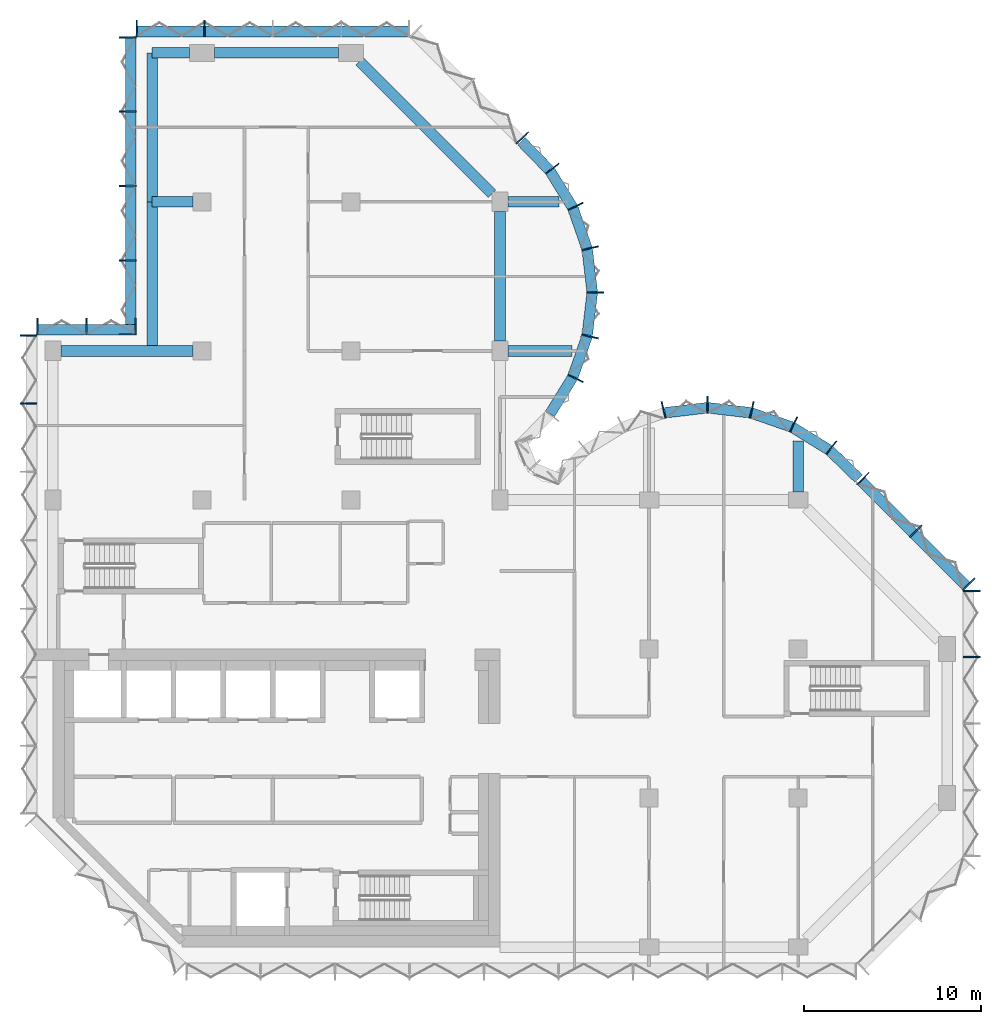
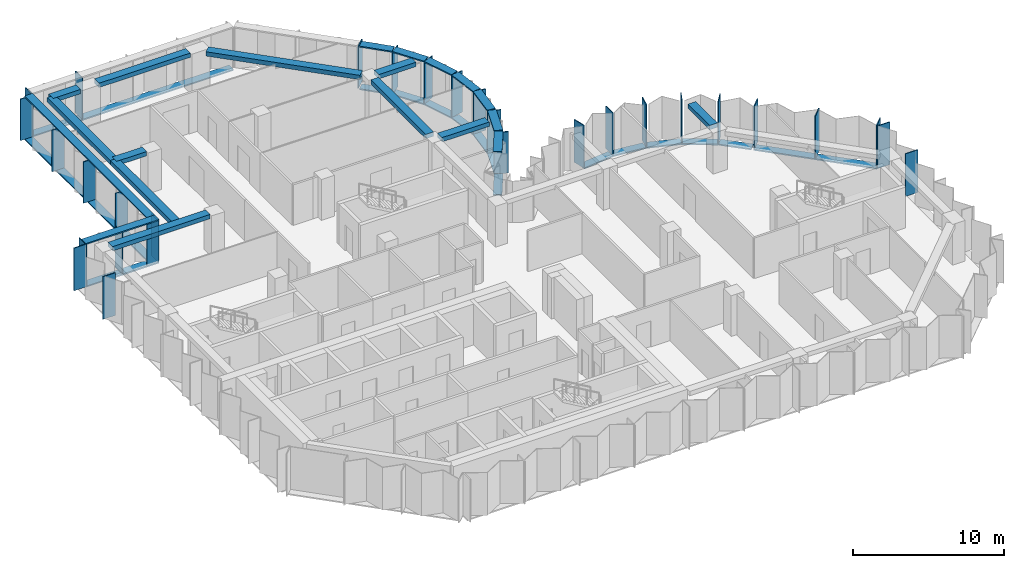
# One storey, part 2 of 10: 54 members, 11 beams, 8 elements without a shape of their own.
"""IFC4 building model written with IfcOpenShell, lengths in metres."""

from ifc_helpers import new_model, si_unit, direction, frame, origin, origin_2d, place, context, subcontext, project, spatial, rectangle, extrude, material, material_profile, profile_set, type_object, element, aggregate, save


model = new_model("IFC4")

# Units and contexts
model_context = context("Model", 3, precision=1e-05, world=origin(), true_north=direction((0.0, 1.0)))
body_context = subcontext(model_context, "Body", "Model", "MODEL_VIEW")
ifc_project = project(units=[si_unit("LENGTHUNIT", "METRE"), si_unit("AREAUNIT", "SQUARE_METRE"), si_unit("VOLUMEUNIT", "CUBIC_METRE"), si_unit("PLANEANGLEUNIT", "RADIAN"), si_unit("MASSUNIT", "GRAM", prefix="KILO")], contexts=[model_context])

# Site, building, storey
site_placement = place(None, origin())
site = spatial("IfcSite", under=ifc_project, at=site_placement, CompositionType="ELEMENT")
building_placement = place(site_placement, origin())
building = spatial("IfcBuilding", under=site, at=building_placement, Name="Brevane Broadcast Tower", CompositionType="ELEMENT")
storey_placement = place(building_placement, frame((0.0, 0.0, 202.800048828125)))
storey = spatial("IfcBuildingStorey", under=building, at=storey_placement, Name="L51", CompositionType="ELEMENT", Elevation=202.800048828125)

# Curtain wall, members
ifc_material_1 = material(Name="Aluminium 6063-T6 bronze anodised", Category="aluminium")
curtain_wall_type = type_object("IfcCurtainWallType", Name="CW-1 curtain wall", PredefinedType="NOTDEFINED", material=ifc_material_1)
curtain_wall_1_placement = place(storey_placement, origin())
curtain_wall_1 = element("IfcCurtainWall", 1, at=curtain_wall_1_placement, inside=storey, type_object=curtain_wall_type, Name="CW-1 typical tilted unit L51 east end", PredefinedType="NOTDEFINED")
ifc_material_profile_1 = material_profile(ifc_material_1, rectangle(XDim=0.949951171875, YDim=0.070068359375, at=origin_2d()), Name="RECT 70x950")
ifc_profile_set_1 = profile_set([ifc_material_profile_1], Name="Aluminium 6063-T6 bronze anodised")
member_type_1 = type_object("IfcMemberType", Name="CW-1 mullion 70x950", PredefinedType="MULLION", material=ifc_profile_set_1)
member_1_placement = place(storey_placement, frame((51.77490234375, 16.35009765625, -0.150146484375), z_axis=(0.0, 0.0, 1.0), x_axis=(-1.0, 0.0, 0.0)))
member_1 = element("IfcMember", 2, at=member_1_placement, type_object=member_type_1, Name="CW-1 mullion", PredefinedType="MULLION", context=body_context, shape_type="SweptSolid", body=[
    extrude(rectangle(XDim=0.949951171875, YDim=0.070068359375, at=origin_2d()), origin(), (0.0, 0.0, 1.0), 3.4501953125),
])
member_2_placement = place(storey_placement, frame((51.77490234375, 20.06494140625, -0.150146484375), z_axis=(0.0, 0.0, 1.0), x_axis=(-1.0, 0.0, 0.0)))
member_2 = element("IfcMember", 3, at=member_2_placement, type_object=member_type_1, Name="CW-1 mullion", PredefinedType="MULLION", context=body_context, shape_type="SweptSolid", body=[
    extrude(rectangle(XDim=0.949951171875, YDim=0.070068359375, at=origin_2d()), origin(), (0.0, 0.0, 1.0), 3.4501953125),
])
aggregate(curtain_wall_1, [member_1, member_2])

curtain_wall_2_placement = place(storey_placement, origin())
curtain_wall_2 = element("IfcCurtainWall", 4, at=curtain_wall_2_placement, inside=storey, type_object=curtain_wall_type, Name="CW-1 typical tilted unit L51 north-east chamfer", PredefinedType="NOTDEFINED")
member_3_placement = place(storey_placement, frame((51.611083984375, 20.460693359375, -0.150146484375), z_axis=(0.0, 0.0, 1.0), x_axis=(-0.707106781187, -0.707106781187, 0.0)))
member_3 = element("IfcMember", 5, at=member_3_placement, type_object=member_type_1, Name="CW-1 mullion", PredefinedType="MULLION", context=body_context, shape_type="SweptSolid", body=[
    extrude(rectangle(XDim=0.949951171875, YDim=0.070068359375, at=origin_2d()), origin(), (0.0, 0.0, 1.0), 3.4501953125),
])
member_4_placement = place(storey_placement, frame((48.635986328125, 23.435791015625, -0.150146484375), z_axis=(0.0, 0.0, 1.0), x_axis=(-0.707106781187, -0.707106781187, 0.0)))
member_4 = element("IfcMember", 6, at=member_4_placement, type_object=member_type_1, Name="CW-1 mullion", PredefinedType="MULLION", context=body_context, shape_type="SweptSolid", body=[
    extrude(rectangle(XDim=0.949951171875, YDim=0.070068359375, at=origin_2d()), origin(), (0.0, 0.0, 1.0), 3.4501953125),
])
member_5_placement = place(storey_placement, frame((45.66064453125, 26.4111328125, -0.150146484375), z_axis=(0.0, 0.0, 1.0), x_axis=(-0.707106781187, -0.707106781187, 0.0)))
member_5 = element("IfcMember", 7, at=member_5_placement, type_object=member_type_1, Name="CW-1 mullion", PredefinedType="MULLION", context=body_context, shape_type="SweptSolid", body=[
    extrude(rectangle(XDim=0.949951171875, YDim=0.070068359375, at=origin_2d()), origin(), (0.0, 0.0, 1.0), 3.4501953125),
])

curtain_wall_3_placement = place(storey_placement, origin())
curtain_wall_3 = element("IfcCurtainWall", 8, at=curtain_wall_3_placement, inside=storey, type_object=curtain_wall_type, Name="CW-1 typical tilted unit L51 east bow", PredefinedType="NOTDEFINED")
member_6_placement = place(storey_placement, frame((43.8720703125, 28.1455078125, -0.150146484375), z_axis=(0.0, 0.0, 1.0), x_axis=(-0.614769698862, -0.788706673841, 0.0)))
member_6 = element("IfcMember", 9, at=member_6_placement, type_object=member_type_1, Name="CW-1 mullion", PredefinedType="MULLION", context=body_context, shape_type="SweptSolid", body=[
    extrude(rectangle(XDim=0.949951171875, YDim=0.070068359375, at=origin_2d()), origin(), (0.0, 0.0, 1.0), 3.4501953125),
])
member_7_placement = place(storey_placement, frame((41.746826171875, 29.4580078125, -0.150146484375), z_axis=(0.0, 0.0, 1.0), x_axis=(-0.429933580394, -0.902860518823, 0.0)))
member_7 = element("IfcMember", 10, at=member_7_placement, type_object=member_type_1, Name="CW-1 mullion", PredefinedType="MULLION", context=body_context, shape_type="SweptSolid", body=[
    extrude(rectangle(XDim=0.949951171875, YDim=0.070068359375, at=origin_2d()), origin(), (0.0, 0.0, 1.0), 3.4501953125),
])
member_8_placement = place(storey_placement, frame((39.38818359375, 30.28076171875, -0.150146484375), z_axis=(0.0, 0.0, 1.0), x_axis=(-0.224806535479, -0.974403418306, 0.0)))
member_8 = element("IfcMember", 11, at=member_8_placement, type_object=member_type_1, Name="CW-1 mullion", PredefinedType="MULLION", context=body_context, shape_type="SweptSolid", body=[
    extrude(rectangle(XDim=0.949951171875, YDim=0.070068359375, at=origin_2d()), origin(), (0.0, 0.0, 1.0), 3.4501953125),
])
member_9_placement = place(storey_placement, frame((36.89990234375, 30.574951171875, -0.150146484375), z_axis=(0.0, 0.0, 1.0), x_axis=(0.0, -1.0, 0.0)))
member_9 = element("IfcMember", 12, at=member_9_placement, type_object=member_type_1, Name="CW-1 mullion", PredefinedType="MULLION", context=body_context, shape_type="SweptSolid", body=[
    extrude(rectangle(XDim=0.949951171875, YDim=0.070068359375, at=origin_2d()), origin(), (0.0, 0.0, 1.0), 3.4501953125),
])
member_10_placement = place(storey_placement, frame((34.411865234375, 30.28076171875, -0.150146484375), z_axis=(0.0, 0.0, 1.0), x_axis=(0.224806535479, -0.974403418306, 0.0)))
member_10 = element("IfcMember", 13, at=member_10_placement, type_object=member_type_1, Name="CW-1 mullion", PredefinedType="MULLION", context=body_context, shape_type="SweptSolid", body=[
    extrude(rectangle(XDim=0.949951171875, YDim=0.070068359375, at=origin_2d()), origin(), (0.0, 0.0, 1.0), 3.4501953125),
])

curtain_wall_4_placement = place(storey_placement, origin())
curtain_wall_4 = element("IfcCurtainWall", 14, at=curtain_wall_4_placement, inside=storey, type_object=curtain_wall_type, Name="CW-1 typical tilted unit L51 north bow", PredefinedType="NOTDEFINED")
member_11_placement = place(storey_placement, frame((29.4580078125, 32.05322265625, -0.150146484375), z_axis=(0.0, 0.0, 1.0), x_axis=(-0.902860518823, 0.429933580394, 0.0)))
member_11 = element("IfcMember", 15, at=member_11_placement, type_object=member_type_1, Name="CW-1 mullion", PredefinedType="MULLION", context=body_context, shape_type="SweptSolid", body=[
    extrude(rectangle(XDim=0.949951171875, YDim=0.070068359375, at=origin_2d()), origin(), (0.0, 0.0, 1.0), 3.35009765625),
])
member_12_placement = place(storey_placement, frame((30.28076171875, 34.411865234375, -0.150146484375), z_axis=(0.0, 0.0, 1.0), x_axis=(-0.974403418306, 0.224806535479, 0.0)))
member_12 = element("IfcMember", 16, at=member_12_placement, type_object=member_type_1, Name="CW-1 mullion", PredefinedType="MULLION", context=body_context, shape_type="SweptSolid", body=[
    extrude(rectangle(XDim=0.949951171875, YDim=0.070068359375, at=origin_2d()), origin(), (0.0, 0.0, 1.0), 3.35009765625),
])
member_13_placement = place(storey_placement, frame((30.574951171875, 36.89990234375, -0.150146484375), z_axis=(0.0, 0.0, 1.0), x_axis=(-1.0, 0.0, 0.0)))
member_13 = element("IfcMember", 17, at=member_13_placement, type_object=member_type_1, Name="CW-1 mullion", PredefinedType="MULLION", context=body_context, shape_type="SweptSolid", body=[
    extrude(rectangle(XDim=0.949951171875, YDim=0.070068359375, at=origin_2d()), origin(), (0.0, 0.0, 1.0), 3.35009765625),
])
member_14_placement = place(storey_placement, frame((30.28076171875, 39.38818359375, -0.150146484375), z_axis=(0.0, 0.0, 1.0), x_axis=(-0.974403418306, -0.224806535479, 0.0)))
member_14 = element("IfcMember", 18, at=member_14_placement, type_object=member_type_1, Name="CW-1 mullion", PredefinedType="MULLION", context=body_context, shape_type="SweptSolid", body=[
    extrude(rectangle(XDim=0.949951171875, YDim=0.070068359375, at=origin_2d()), origin(), (0.0, 0.0, 1.0), 3.35009765625),
])
member_15_placement = place(storey_placement, frame((29.4580078125, 41.746826171875, -0.150146484375), z_axis=(0.0, 0.0, 1.0), x_axis=(-0.902860518823, -0.429933580394, 0.0)))
member_15 = element("IfcMember", 19, at=member_15_placement, type_object=member_type_1, Name="CW-1 mullion", PredefinedType="MULLION", context=body_context, shape_type="SweptSolid", body=[
    extrude(rectangle(XDim=0.949951171875, YDim=0.070068359375, at=origin_2d()), origin(), (0.0, 0.0, 1.0), 3.35009765625),
])
member_16_placement = place(storey_placement, frame((28.1455078125, 43.8720703125, -0.150146484375), z_axis=(0.0, 0.0, 1.0), x_axis=(-0.788706673841, -0.614769698862, 0.0)))
member_16 = element("IfcMember", 20, at=member_16_placement, type_object=member_type_1, Name="CW-1 mullion", PredefinedType="MULLION", context=body_context, shape_type="SweptSolid", body=[
    extrude(rectangle(XDim=0.949951171875, YDim=0.070068359375, at=origin_2d()), origin(), (0.0, 0.0, 1.0), 3.35009765625),
])
member_17_placement = place(storey_placement, frame((26.465087890625, 45.60595703125, -0.150146484375), z_axis=(0.0, 0.0, 1.0), x_axis=(-0.717253728729, -0.696812089895, 0.0)))
member_17 = element("IfcMember", 21, at=member_17_placement, type_object=member_type_1, Name="CW-1 mullion", PredefinedType="MULLION", context=body_context, shape_type="SweptSolid", body=[
    extrude(rectangle(XDim=0.949951171875, YDim=0.070068359375, at=origin_2d()), origin(), (0.0, 0.0, 1.0), 3.35009765625),
])

curtain_wall_5_placement = place(storey_placement, origin())
curtain_wall_5 = element("IfcCurtainWall", 22, at=curtain_wall_5_placement, inside=storey, type_object=curtain_wall_type, Name="CW-1 typical tilted unit L51 north end", PredefinedType="NOTDEFINED")
member_18_placement = place(storey_placement, frame((8.550048828125, 51.77490234375, -0.150146484375), z_axis=(0.0, 0.0, 1.0), x_axis=(0.0, -1.0, 0.0)))
member_18 = element("IfcMember", 23, at=member_18_placement, type_object=member_type_1, Name="CW-1 mullion", PredefinedType="MULLION", context=body_context, shape_type="SweptSolid", body=[
    extrude(rectangle(XDim=0.949951171875, YDim=0.070068359375, at=origin_2d()), origin(), (0.0, 0.0, 1.0), 3.35009765625),
])
member_19_placement = place(storey_placement, frame((4.735107421875, 51.77490234375, -0.150146484375), z_axis=(0.0, 0.0, 1.0), x_axis=(0.0, -1.0, 0.0)))
member_19 = element("IfcMember", 24, at=member_19_placement, type_object=member_type_1, Name="CW-1 mullion", PredefinedType="MULLION", context=body_context, shape_type="SweptSolid", body=[
    extrude(rectangle(XDim=0.949951171875, YDim=0.070068359375, at=origin_2d()), origin(), (0.0, 0.0, 1.0), 3.35009765625),
])

curtain_wall_6_placement = place(storey_placement, origin())
curtain_wall_6 = element("IfcCurtainWall", 25, at=curtain_wall_6_placement, inside=storey, type_object=curtain_wall_type, Name="CW-1 typical tilted unit L51 north wing west face, lower block", PredefinedType="NOTDEFINED")
member_20_placement = place(storey_placement, frame((4.22509765625, 51.264892578125, -0.150146484375), z_axis=(0.0, 0.0, 1.0), x_axis=(1.0, 0.0, 0.0)))
member_20 = element("IfcMember", 26, at=member_20_placement, type_object=member_type_1, Name="CW-1 mullion", PredefinedType="MULLION", context=body_context, shape_type="SweptSolid", body=[
    extrude(rectangle(XDim=0.949951171875, YDim=0.070068359375, at=origin_2d()), origin(), (0.0, 0.0, 1.0), 3.35009765625),
])
member_21_placement = place(storey_placement, frame((4.22509765625, 47.10009765625, -0.150146484375), z_axis=(0.0, 0.0, 1.0), x_axis=(1.0, 0.0, 0.0)))
member_21 = element("IfcMember", 27, at=member_21_placement, type_object=member_type_1, Name="CW-1 mullion", PredefinedType="MULLION", context=body_context, shape_type="SweptSolid", body=[
    extrude(rectangle(XDim=0.949951171875, YDim=0.070068359375, at=origin_2d()), origin(), (0.0, 0.0, 1.0), 3.35009765625),
])
member_22_placement = place(storey_placement, frame((4.22509765625, 42.89990234375, -0.150146484375), z_axis=(0.0, 0.0, 1.0), x_axis=(1.0, 0.0, 0.0)))
member_22 = element("IfcMember", 28, at=member_22_placement, type_object=member_type_1, Name="CW-1 mullion", PredefinedType="MULLION", context=body_context, shape_type="SweptSolid", body=[
    extrude(rectangle(XDim=0.949951171875, YDim=0.070068359375, at=origin_2d()), origin(), (0.0, 0.0, 1.0), 3.35009765625),
])
member_23_placement = place(storey_placement, frame((4.22509765625, 38.699951171875, -0.150146484375), z_axis=(0.0, 0.0, 1.0), x_axis=(1.0, 0.0, 0.0)))
member_23 = element("IfcMember", 29, at=member_23_placement, type_object=member_type_1, Name="CW-1 mullion", PredefinedType="MULLION", context=body_context, shape_type="SweptSolid", body=[
    extrude(rectangle(XDim=0.949951171875, YDim=0.070068359375, at=origin_2d()), origin(), (0.0, 0.0, 1.0), 3.35009765625),
])
member_24_placement = place(storey_placement, frame((4.22509765625, 34.534912109375, -0.150146484375), z_axis=(0.0, 0.0, 1.0), x_axis=(1.0, 0.0, 0.0)))
member_24 = element("IfcMember", 30, at=member_24_placement, type_object=member_type_1, Name="CW-1 mullion", PredefinedType="MULLION", context=body_context, shape_type="SweptSolid", body=[
    extrude(rectangle(XDim=0.949951171875, YDim=0.070068359375, at=origin_2d()), origin(), (0.0, 0.0, 1.0), 3.35009765625),
])

curtain_wall_7_placement = place(storey_placement, origin())
curtain_wall_7 = element("IfcCurtainWall", 31, at=curtain_wall_7_placement, inside=storey, type_object=curtain_wall_type, Name="CW-1 typical tilted unit L51 north wing west return, lower block", PredefinedType="NOTDEFINED")
member_25_placement = place(storey_placement, frame((4.6650390625, 34.97509765625, -0.150146484375), z_axis=(0.0, 0.0, 1.0), x_axis=(0.0, -1.0, 0.0)))
member_25 = element("IfcMember", 32, at=member_25_placement, type_object=member_type_1, Name="CW-1 mullion", PredefinedType="MULLION", context=body_context, shape_type="SweptSolid", body=[
    extrude(rectangle(XDim=0.949951171875, YDim=0.070068359375, at=origin_2d()), origin(), (0.0, 0.0, 1.0), 3.35009765625),
])
member_26_placement = place(storey_placement, frame((1.89990234375, 34.97509765625, -0.150146484375), z_axis=(0.0, 0.0, 1.0), x_axis=(0.0, -1.0, 0.0)))
member_26 = element("IfcMember", 33, at=member_26_placement, type_object=member_type_1, Name="CW-1 mullion", PredefinedType="MULLION", context=body_context, shape_type="SweptSolid", body=[
    extrude(rectangle(XDim=0.949951171875, YDim=0.070068359375, at=origin_2d()), origin(), (0.0, 0.0, 1.0), 3.35009765625),
])
member_27_placement = place(storey_placement, frame((-0.864990234375, 34.97509765625, -0.150146484375), z_axis=(0.0, 0.0, 1.0), x_axis=(0.0, -1.0, 0.0)))
member_27 = element("IfcMember", 34, at=member_27_placement, type_object=member_type_1, Name="CW-1 mullion", PredefinedType="MULLION", context=body_context, shape_type="SweptSolid", body=[
    extrude(rectangle(XDim=0.949951171875, YDim=0.070068359375, at=origin_2d()), origin(), (0.0, 0.0, 1.0), 3.35009765625),
])

curtain_wall_8_placement = place(storey_placement, origin())
curtain_wall_8 = element("IfcCurtainWall", 35, at=curtain_wall_8_placement, inside=storey, type_object=curtain_wall_type, Name="CW-1 typical tilted unit L51 west face", PredefinedType="NOTDEFINED")
member_28_placement = place(storey_placement, frame((-1.375, 34.465087890625, -0.150146484375), z_axis=(0.0, 0.0, 1.0), x_axis=(1.0, 0.0, 0.0)))
member_28 = element("IfcMember", 36, at=member_28_placement, type_object=member_type_1, Name="CW-1 mullion", PredefinedType="MULLION", context=body_context, shape_type="SweptSolid", body=[
    extrude(rectangle(XDim=0.949951171875, YDim=0.070068359375, at=origin_2d()), origin(), (0.0, 0.0, 1.0), 3.4501953125),
])
member_29_placement = place(storey_placement, frame((-1.375, 30.642822265625, -0.150146484375), z_axis=(0.0, 0.0, 1.0), x_axis=(1.0, 0.0, 0.0)))
member_29 = element("IfcMember", 37, at=member_29_placement, type_object=member_type_1, Name="CW-1 mullion", PredefinedType="MULLION", context=body_context, shape_type="SweptSolid", body=[
    extrude(rectangle(XDim=0.949951171875, YDim=0.070068359375, at=origin_2d()), origin(), (0.0, 0.0, 1.0), 3.4501953125),
])
aggregate(curtain_wall_8, [member_28, member_29])

# Member
ifc_material_profile_2 = material_profile(ifc_material_1, rectangle(XDim=0.60009765625, YDim=0.10009765625, at=origin_2d()), Name="RECT 100x600")
ifc_profile_set_2 = profile_set([ifc_material_profile_2], Name="Aluminium 6063-T6 bronze anodised")
member_type_2 = type_object("IfcMemberType", Name="CW-1 transom 100x600", PredefinedType="USERDEFINED", material=ifc_profile_set_2)
member_30_placement = place(storey_placement, frame((51.51220703125, 20.31201171875, -0.199951171875), z_axis=(-0.707106781187, 0.707106781187, 0.0), x_axis=(-0.707106781187, -0.707106781187, 0.0)))
member_30 = element("IfcMember", 38, at=member_30_placement, type_object=member_type_2, Name="CW-1 transom", ObjectType="TRANSOM", PredefinedType="USERDEFINED", context=body_context, shape_type="SweptSolid", body=[
    extrude(rectangle(XDim=0.60009765625, YDim=0.10009765625, at=origin_2d()), origin(), (0.0, 0.0, 1.0), 8.4853515625),
])

aggregate(curtain_wall_2, [member_3, member_4, member_5, member_30])

member_31_placement = place(storey_placement, frame((45.412841796875, 26.407958984375, -0.199951171875), z_axis=(-0.71724215871, 0.696823999134, 0.0), x_axis=(-0.696823999134, -0.71724215871, 0.0)))
member_31 = element("IfcMember", 39, at=member_31_placement, type_object=member_type_2, Name="CW-1 transom", ObjectType="TRANSOM", PredefinedType="USERDEFINED", context=body_context, shape_type="SweptSolid", body=[
    extrude(rectangle(XDim=0.60009765625, YDim=0.10009765625, at=origin_2d()), origin(), (0.0, 0.0, 1.0), 2.247802734375),
])

member_32_placement = place(storey_placement, frame((43.7421875, 28.023193359375, -0.199951171875), z_axis=(-0.850810063131, 0.525473345162, 0.0), x_axis=(-0.525473345162, -0.850810063131, 0.0)))
member_32 = element("IfcMember", 40, at=member_32_placement, type_object=member_type_2, Name="CW-1 transom", ObjectType="TRANSOM", PredefinedType="USERDEFINED", context=body_context, shape_type="SweptSolid", body=[
    extrude(rectangle(XDim=0.60009765625, YDim=0.10009765625, at=origin_2d()), origin(), (0.0, 0.0, 1.0), 2.39453125),
])

member_33_placement = place(storey_placement, frame((41.63623046875, 29.314208984375, -0.199951171875), z_axis=(-0.944197969542, 0.329378497041, 0.0), x_axis=(-0.329378497041, -0.944197969542, 0.0)))
member_33 = element("IfcMember", 41, at=member_33_placement, type_object=member_type_2, Name="CW-1 transom", ObjectType="TRANSOM", PredefinedType="USERDEFINED", context=body_context, shape_type="SweptSolid", body=[
    extrude(rectangle(XDim=0.60009765625, YDim=0.10009765625, at=origin_2d()), origin(), (0.0, 0.0, 1.0), 2.394775390625),
])

member_34_placement = place(storey_placement, frame((39.30029296875, 30.117431640625, -0.199951171875), z_axis=(-0.993062061831, 0.117591417, 0.0), x_axis=(-0.117591417, -0.993062061831, 0.0)))
member_34 = element("IfcMember", 42, at=member_34_placement, type_object=member_type_2, Name="CW-1 transom", ObjectType="TRANSOM", PredefinedType="USERDEFINED", context=body_context, shape_type="SweptSolid", body=[
    extrude(rectangle(XDim=0.60009765625, YDim=0.10009765625, at=origin_2d()), origin(), (0.0, 0.0, 1.0), 2.39794921875),
])

member_35_placement = place(storey_placement, frame((36.880859375, 30.3994140625, -0.199951171875), z_axis=(-0.993060653805, -0.117603307202, 0.0), x_axis=(0.117603307202, -0.993060653805, 0.0)))
member_35 = element("IfcMember", 43, at=member_35_placement, type_object=member_type_2, Name="CW-1 transom", ObjectType="TRANSOM", PredefinedType="USERDEFINED", context=body_context, shape_type="SweptSolid", body=[
    extrude(rectangle(XDim=0.60009765625, YDim=0.10009765625, at=origin_2d()), origin(), (0.0, 0.0, 1.0), 2.397705078125),
])

aggregate(curtain_wall_3, [member_6, member_7, member_8, member_9, member_10, member_31, member_32, member_33, member_34, member_35])

member_36_placement = place(storey_placement, frame((28.023193359375, 30.0576171875, -0.199951171875), z_axis=(0.525427766759, 0.850838211365, 0.0), x_axis=(-0.850838211365, 0.525427766759, 0.0)))
member_36 = element("IfcMember", 44, at=member_36_placement, type_object=member_type_2, Name="CW-1 transom", ObjectType="TRANSOM", PredefinedType="USERDEFINED", context=body_context, shape_type="SweptSolid", body=[
    extrude(rectangle(XDim=0.60009765625, YDim=0.10009765625, at=origin_2d()), origin(), (0.0, 0.0, 1.0), 2.394775390625),
])

member_37_placement = place(storey_placement, frame((28.023193359375, 30.0576171875, 3.25), z_axis=(0.525427766759, 0.850838211365, 0.0), x_axis=(-0.850838211365, 0.525427766759, 0.0)))
member_37 = element("IfcMember", 45, at=member_37_placement, type_object=member_type_2, Name="CW-1 transom", ObjectType="TRANSOM", PredefinedType="USERDEFINED", context=body_context, shape_type="SweptSolid", body=[
    extrude(rectangle(XDim=0.60009765625, YDim=0.10009765625, at=origin_2d()), origin(), (0.0, 0.0, 1.0), 2.394775390625),
])

member_38_placement = place(storey_placement, frame((29.314208984375, 32.163818359375, -0.199951171875), z_axis=(0.329378497041, 0.944197969542, 0.0), x_axis=(-0.944197969542, 0.329378497041, 0.0)))
member_38 = element("IfcMember", 46, at=member_38_placement, type_object=member_type_2, Name="CW-1 transom", ObjectType="TRANSOM", PredefinedType="USERDEFINED", context=body_context, shape_type="SweptSolid", body=[
    extrude(rectangle(XDim=0.60009765625, YDim=0.10009765625, at=origin_2d()), origin(), (0.0, 0.0, 1.0), 2.394775390625),
])

member_39_placement = place(storey_placement, frame((29.314208984375, 32.163818359375, 3.25), z_axis=(0.329378497041, 0.944197969542, 0.0), x_axis=(-0.944197969542, 0.329378497041, 0.0)))
member_39 = element("IfcMember", 47, at=member_39_placement, type_object=member_type_2, Name="CW-1 transom", ObjectType="TRANSOM", PredefinedType="USERDEFINED", context=body_context, shape_type="SweptSolid", body=[
    extrude(rectangle(XDim=0.60009765625, YDim=0.10009765625, at=origin_2d()), origin(), (0.0, 0.0, 1.0), 2.394775390625),
])

member_40_placement = place(storey_placement, frame((30.117431640625, 34.499755859375, -0.199951171875), z_axis=(0.117603307202, 0.993060653805, 0.0), x_axis=(-0.993060653805, 0.117603307202, 0.0)))
member_40 = element("IfcMember", 48, at=member_40_placement, type_object=member_type_2, Name="CW-1 transom", ObjectType="TRANSOM", PredefinedType="USERDEFINED", context=body_context, shape_type="SweptSolid", body=[
    extrude(rectangle(XDim=0.60009765625, YDim=0.10009765625, at=origin_2d()), origin(), (0.0, 0.0, 1.0), 2.397705078125),
])

member_41_placement = place(storey_placement, frame((30.117431640625, 34.499755859375, 3.25), z_axis=(0.117603307202, 0.993060653805, 0.0), x_axis=(-0.993060653805, 0.117603307202, 0.0)))
member_41 = element("IfcMember", 49, at=member_41_placement, type_object=member_type_2, Name="CW-1 transom", ObjectType="TRANSOM", PredefinedType="USERDEFINED", context=body_context, shape_type="SweptSolid", body=[
    extrude(rectangle(XDim=0.60009765625, YDim=0.10009765625, at=origin_2d()), origin(), (0.0, 0.0, 1.0), 2.397705078125),
])

member_42_placement = place(storey_placement, frame((30.3994140625, 36.9189453125, -0.199951171875), z_axis=(-0.117591417, 0.993062061831, 0.0), x_axis=(-0.993062061831, -0.117591417, 0.0)))
member_42 = element("IfcMember", 50, at=member_42_placement, type_object=member_type_2, Name="CW-1 transom", ObjectType="TRANSOM", PredefinedType="USERDEFINED", context=body_context, shape_type="SweptSolid", body=[
    extrude(rectangle(XDim=0.60009765625, YDim=0.10009765625, at=origin_2d()), origin(), (0.0, 0.0, 1.0), 2.39794921875),
])

member_43_placement = place(storey_placement, frame((30.3994140625, 36.9189453125, 3.25), z_axis=(-0.117591417, 0.993062061831, 0.0), x_axis=(-0.993062061831, -0.117591417, 0.0)))
member_43 = element("IfcMember", 51, at=member_43_placement, type_object=member_type_2, Name="CW-1 transom", ObjectType="TRANSOM", PredefinedType="USERDEFINED", context=body_context, shape_type="SweptSolid", body=[
    extrude(rectangle(XDim=0.60009765625, YDim=0.10009765625, at=origin_2d()), origin(), (0.0, 0.0, 1.0), 2.39794921875),
])

member_44_placement = place(storey_placement, frame((30.10302734375, 39.375, -0.199951171875), z_axis=(-0.329378497041, 0.944197969542, 0.0), x_axis=(-0.944197969542, -0.329378497041, 0.0)))
member_44 = element("IfcMember", 52, at=member_44_placement, type_object=member_type_2, Name="CW-1 transom", ObjectType="TRANSOM", PredefinedType="USERDEFINED", context=body_context, shape_type="SweptSolid", body=[
    extrude(rectangle(XDim=0.60009765625, YDim=0.10009765625, at=origin_2d()), origin(), (0.0, 0.0, 1.0), 2.394775390625),
])

member_45_placement = place(storey_placement, frame((30.10302734375, 39.375, 3.25), z_axis=(-0.329378497041, 0.944197969542, 0.0), x_axis=(-0.944197969542, -0.329378497041, 0.0)))
member_45 = element("IfcMember", 53, at=member_45_placement, type_object=member_type_2, Name="CW-1 transom", ObjectType="TRANSOM", PredefinedType="USERDEFINED", context=body_context, shape_type="SweptSolid", body=[
    extrude(rectangle(XDim=0.60009765625, YDim=0.10009765625, at=origin_2d()), origin(), (0.0, 0.0, 1.0), 2.394775390625),
])

member_46_placement = place(storey_placement, frame((29.281494140625, 41.704833984375, -0.199951171875), z_axis=(-0.525473345162, 0.850810063131, 0.0), x_axis=(-0.850810063131, -0.525473345162, 0.0)))
member_46 = element("IfcMember", 54, at=member_46_placement, type_object=member_type_2, Name="CW-1 transom", ObjectType="TRANSOM", PredefinedType="USERDEFINED", context=body_context, shape_type="SweptSolid", body=[
    extrude(rectangle(XDim=0.60009765625, YDim=0.10009765625, at=origin_2d()), origin(), (0.0, 0.0, 1.0), 2.39453125),
])

member_47_placement = place(storey_placement, frame((29.281494140625, 41.704833984375, 3.25), z_axis=(-0.525473345162, 0.850810063131, 0.0), x_axis=(-0.850810063131, -0.525473345162, 0.0)))
member_47 = element("IfcMember", 55, at=member_47_placement, type_object=member_type_2, Name="CW-1 transom", ObjectType="TRANSOM", PredefinedType="USERDEFINED", context=body_context, shape_type="SweptSolid", body=[
    extrude(rectangle(XDim=0.60009765625, YDim=0.10009765625, at=origin_2d()), origin(), (0.0, 0.0, 1.0), 2.39453125),
])

member_48_placement = place(storey_placement, frame((27.974365234375, 43.800537109375, -0.199951171875), z_axis=(-0.696823999134, 0.71724215871, 0.0), x_axis=(-0.71724215871, -0.696823999134, 0.0)))
member_48 = element("IfcMember", 56, at=member_48_placement, type_object=member_type_2, Name="CW-1 transom", ObjectType="TRANSOM", PredefinedType="USERDEFINED", context=body_context, shape_type="SweptSolid", body=[
    extrude(rectangle(XDim=0.60009765625, YDim=0.10009765625, at=origin_2d()), origin(), (0.0, 0.0, 1.0), 2.247802734375),
])

member_49_placement = place(storey_placement, frame((27.974365234375, 43.800537109375, 3.25), z_axis=(-0.696823999134, 0.71724215871, 0.0), x_axis=(-0.71724215871, -0.696823999134, 0.0)))
member_49 = element("IfcMember", 57, at=member_49_placement, type_object=member_type_2, Name="CW-1 transom", ObjectType="TRANSOM", PredefinedType="USERDEFINED", context=body_context, shape_type="SweptSolid", body=[
    extrude(rectangle(XDim=0.60009765625, YDim=0.10009765625, at=origin_2d()), origin(), (0.0, 0.0, 1.0), 2.247802734375),
])

aggregate(curtain_wall_4, [member_11, member_12, member_13, member_14, member_15, member_16, member_17, member_36, member_37, member_38, member_39, member_40, member_41, member_42, member_43, member_44, member_45, member_46, member_47, member_48, member_49])

member_50_placement = place(storey_placement, frame((20.10009765625, 51.60009765625, -0.199951171875), z_axis=(-1.0, 0.0, 0.0), x_axis=(0.0, -1.0, 0.0)))
member_50 = element("IfcMember", 58, at=member_50_placement, type_object=member_type_2, Name="CW-1 transom", ObjectType="TRANSOM", PredefinedType="USERDEFINED", context=body_context, shape_type="SweptSolid", body=[
    extrude(rectangle(XDim=0.60009765625, YDim=0.10009765625, at=origin_2d()), origin(), (0.0, 0.0, 1.0), 15.400146484375),
])

aggregate(curtain_wall_5, [member_18, member_19, member_50])

member_51_placement = place(storey_placement, frame((4.39990234375, 51.300048828125, -0.199951171875), z_axis=(0.0, -1.0, 0.0), x_axis=(1.0, 0.0, 0.0)))
member_51 = element("IfcMember", 59, at=member_51_placement, type_object=member_type_2, Name="CW-1 transom", ObjectType="TRANSOM", PredefinedType="USERDEFINED", context=body_context, shape_type="SweptSolid", body=[
    extrude(rectangle(XDim=0.60009765625, YDim=0.10009765625, at=origin_2d()), origin(), (0.0, 0.0, 1.0), 16.800048828125),
])

member_52_placement = place(storey_placement, frame((4.39990234375, 51.300048828125, 3.25), z_axis=(0.0, -1.0, 0.0), x_axis=(1.0, 0.0, 0.0)))
member_52 = element("IfcMember", 60, at=member_52_placement, type_object=member_type_2, Name="CW-1 transom", ObjectType="TRANSOM", PredefinedType="USERDEFINED", context=body_context, shape_type="SweptSolid", body=[
    extrude(rectangle(XDim=0.60009765625, YDim=0.10009765625, at=origin_2d()), origin(), (0.0, 0.0, 1.0), 16.800048828125),
])

aggregate(curtain_wall_6, [member_20, member_21, member_22, member_23, member_24, member_51, member_52])

member_53_placement = place(storey_placement, frame((4.699951171875, 34.800048828125, -0.199951171875), z_axis=(-1.0, 0.0, 0.0), x_axis=(0.0, -1.0, 0.0)))
member_53 = element("IfcMember", 61, at=member_53_placement, type_object=member_type_2, Name="CW-1 transom", ObjectType="TRANSOM", PredefinedType="USERDEFINED", context=body_context, shape_type="SweptSolid", body=[
    extrude(rectangle(XDim=0.60009765625, YDim=0.10009765625, at=origin_2d()), origin(), (0.0, 0.0, 1.0), 5.599853515625),
])

member_54_placement = place(storey_placement, frame((4.699951171875, 34.800048828125, 3.25), z_axis=(-1.0, 0.0, 0.0), x_axis=(0.0, -1.0, 0.0)))
member_54 = element("IfcMember", 62, at=member_54_placement, type_object=member_type_2, Name="CW-1 transom", ObjectType="TRANSOM", PredefinedType="USERDEFINED", context=body_context, shape_type="SweptSolid", body=[
    extrude(rectangle(XDim=0.60009765625, YDim=0.10009765625, at=origin_2d()), origin(), (0.0, 0.0, 1.0), 5.599853515625),
])

aggregate(curtain_wall_7, [member_25, member_26, member_27, member_53, member_54])

# Beams
ifc_material_2 = material(Name="Concrete C40/50", Category="concrete")
ifc_material_profile_3 = material_profile(ifc_material_2, rectangle(XDim=0.60009765625, YDim=0.35009765625, at=origin_2d()), Name="RC 600x350")
ifc_profile_set_3 = profile_set([ifc_material_profile_3], Name="Concrete C40/50")
beam_type_1 = type_object("IfcBeamType", Name="RC BRACKET BEAM 600x350 C40/50", PredefinedType="BEAM", material=ifc_profile_set_3)
beam_1_placement = place(storey_placement, frame((25.64990234375, 33.60009765625, 3.125), z_axis=(1.0, 0.0, 0.0), x_axis=(0.0, 1.0, 0.0)))
element("IfcBeam", 63, at=beam_1_placement, inside=storey, type_object=beam_type_1, Name="EB2 L51-1", PredefinedType="BEAM", context=body_context, shape_type="SweptSolid", body=[
    extrude(rectangle(XDim=0.60009765625, YDim=0.35009765625, at=origin_2d()), origin(), (0.0, 0.0, 1.0), 3.612060546875),
])
for number, where, z_axis, x_axis, name in (
    (64, (25.64990234375, 42.0, 3.125), (1.0, 0.0, 0.0), (0.0, 1.0, 0.0), "EB2 L51-2"),
    (65, (42.0, 25.64990234375, 3.125), (0.0, 1.0, 0.0), (-1.0, 0.0, 0.0), "EB2 L51-4"),
):
    element("IfcBeam", number, at=place(storey_placement, frame(where, z_axis=z_axis, x_axis=x_axis)), inside=storey, type_object=beam_type_1, Name=name, PredefinedType="BEAM", context=body_context, shape_type="SweptSolid", body=[
        extrude(rectangle(XDim=0.60009765625, YDim=0.35009765625, at=origin_2d()), origin(), (0.0, 0.0, 1.0), 2.861572265625),
    ])
beam_2_placement = place(storey_placement, frame((7.89990234375, 42.0, 3.125), z_axis=(-1.0, 0.0, 0.0), x_axis=(0.0, -1.0, 0.0)))
element("IfcBeam", 66, at=beam_2_placement, inside=storey, type_object=beam_type_1, Name="EB2 L51-5", PredefinedType="BEAM", context=body_context, shape_type="SweptSolid", body=[
    extrude(rectangle(XDim=0.60009765625, YDim=0.35009765625, at=origin_2d()), origin(), (0.0, 0.0, 1.0), 2.2998046875),
])
ifc_material_profile_4 = material_profile(ifc_material_2, rectangle(XDim=0.60009765625, YDim=0.35009765625, at=origin_2d()), Name="RC 600x350")
ifc_profile_set_4 = profile_set([ifc_material_profile_4], Name="Concrete C40/50")
beam_type_2 = type_object("IfcBeamType", Name="RC SPANDREL BEAM 600x350 C40/50", PredefinedType="SPANDREL", material=ifc_profile_set_4)
beam_3_placement = place(storey_placement, frame((25.199951171875, 34.14990234375, 3.125), z_axis=(0.0, 1.0, 0.0), x_axis=(-1.0, 0.0, 0.0)))
element("IfcBeam", 67, at=beam_3_placement, inside=storey, type_object=beam_type_2, Name="EB1 L51-9", PredefinedType="SPANDREL", context=body_context, shape_type="SweptSolid", body=[
    extrude(rectangle(XDim=0.60009765625, YDim=0.35009765625, at=origin_2d()), origin(), (0.0, 0.0, 1.0), 7.300048828125),
])
beam_4_placement = place(storey_placement, frame((24.75, 42.449951171875, 3.125), z_axis=(-0.707106781187, 0.707106781187, 0.0), x_axis=(-0.707106781187, -0.707106781187, 0.0)))
element("IfcBeam", 68, at=beam_4_placement, inside=storey, type_object=beam_type_2, Name="EB1 L51-10", PredefinedType="SPANDREL", context=body_context, shape_type="SweptSolid", body=[
    extrude(rectangle(XDim=0.60009765625, YDim=0.35009765625, at=origin_2d()), origin(), (0.0, 0.0, 1.0), 10.5712890625),
])
beam_5_placement = place(storey_placement, frame((16.10009765625, 50.39990234375, 3.125), z_axis=(-1.0, 0.0, 0.0), x_axis=(0.0, -1.0, 0.0)))
element("IfcBeam", 69, at=beam_5_placement, inside=storey, type_object=beam_type_2, Name="EB1 L51-11", PredefinedType="SPANDREL", context=body_context, shape_type="SweptSolid", body=[
    extrude(rectangle(XDim=0.60009765625, YDim=0.35009765625, at=origin_2d()), origin(), (0.0, 0.0, 1.0), 7.0),
])
beam_6_placement = place(storey_placement, frame((0.449951171875, 33.60009765625, 3.125), z_axis=(1.0, 0.0, 0.0), x_axis=(0.0, 1.0, 0.0)))
element("IfcBeam", 70, at=beam_6_placement, inside=storey, type_object=beam_type_2, Name="EB1 L51-14", PredefinedType="SPANDREL", context=body_context, shape_type="SweptSolid", body=[
    extrude(rectangle(XDim=0.60009765625, YDim=0.35009765625, at=origin_2d()), origin(), (0.0, 0.0, 1.0), 7.449951171875),
])
for number, where, z_axis, x_axis, name in (
    (71, (5.60009765625, 33.60009765625, 3.125), (0.0, 1.0, 0.0), (-1.0, 0.0, 0.0), "EB1 L51-15"),
    (72, (5.60009765625, 42.0, 3.125), (0.0, 1.0, 0.0), (-1.0, 0.0, 0.0), "EB1 L51-16"),
):
    element("IfcBeam", number, at=place(storey_placement, frame(where, z_axis=z_axis, x_axis=x_axis)), inside=storey, type_object=beam_type_2, Name=name, PredefinedType="SPANDREL", context=body_context, shape_type="SweptSolid", body=[
        extrude(rectangle(XDim=0.60009765625, YDim=0.35009765625, at=origin_2d()), origin(), (0.0, 0.0, 1.0), 8.39990234375),
    ])
beam_7_placement = place(storey_placement, frame((5.60009765625, 50.39990234375, 3.125), z_axis=(1.0, 0.0, 0.0), x_axis=(0.0, 1.0, 0.0)))
element("IfcBeam", 73, at=beam_7_placement, inside=storey, type_object=beam_type_2, Name="EB1 L51-17", PredefinedType="SPANDREL", context=body_context, shape_type="SweptSolid", body=[
    extrude(rectangle(XDim=0.60009765625, YDim=0.35009765625, at=origin_2d()), origin(), (0.0, 0.0, 1.0), 2.099853515625),
])

save(model, "model.ifc")
